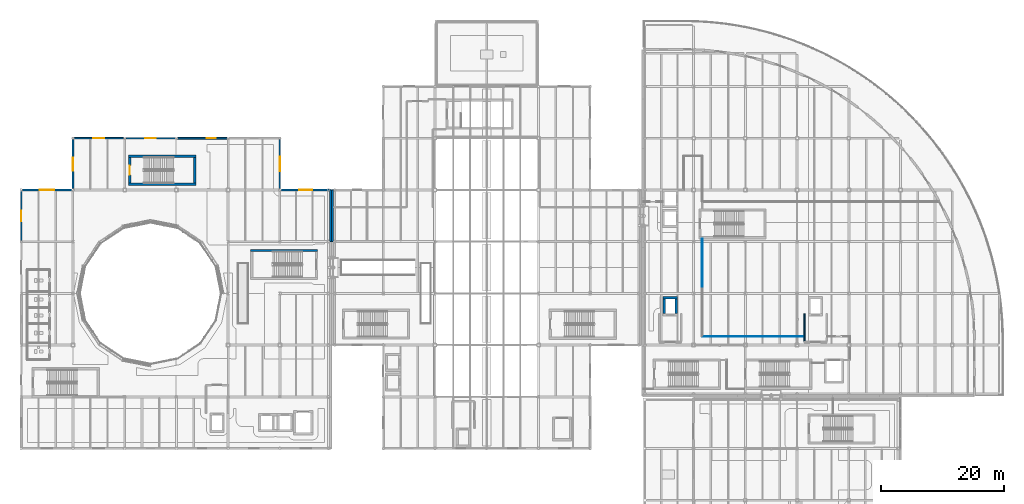
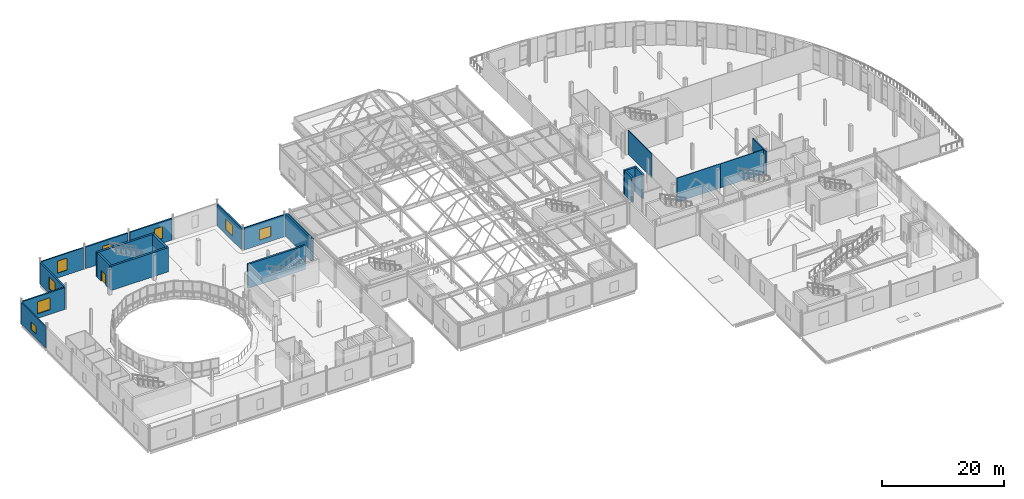
# One storey, part 66 of 103: 22 walls, 8 windows, 1 door, 9 openings.
"""IFC4 building model written with IfcOpenShell, lengths in metres."""

from ifc_helpers import new_model, si_unit, direction, frame, frame_2d, origin, place, context, subcontext, project, spatial, rectangle, extrude, material, layer, layer_set, type_object, element, fill, save


model = new_model("IFC4")

# Units and contexts
model_context = context("Model", 3, precision=1e-05, world=origin(), true_north=direction((0.0, 1.0)))
body_context = subcontext(model_context, "Body", "Model", "MODEL_VIEW")
ifc_project = project(units=[si_unit("LENGTHUNIT", "METRE"), si_unit("AREAUNIT", "SQUARE_METRE"), si_unit("VOLUMEUNIT", "CUBIC_METRE"), si_unit("PLANEANGLEUNIT", "RADIAN"), si_unit("MASSUNIT", "GRAM", prefix="KILO"), si_unit("THERMODYNAMICTEMPERATUREUNIT", "KELVIN")], contexts=[model_context])

# Site, building, storey
site_placement = place(None, origin())
site = spatial("IfcSite", under=ifc_project, at=site_placement, CompositionType="ELEMENT")
building_placement = place(site_placement, origin())
building = spatial("IfcBuilding", under=site, at=building_placement, Name="Lustrewick Department Store", CompositionType="ELEMENT")
storey_placement = place(building_placement, frame((0.0, 0.0, 16.5)))
storey = spatial("IfcBuildingStorey", under=building, at=storey_placement, Name="L04", CompositionType="ELEMENT", Elevation=16.5)

# Wall, opening, window
ifc_material_1 = material(Name="Precast concrete C40", Category="concrete")
ifc_layer_1 = layer(ifc_material_1, 0.239990234375, Name="Precast concrete C40")
ifc_layer_set_1 = layer_set([ifc_layer_1], Name="Precast concrete C40")
wall_type_1 = type_object("IfcWallType", Name="EW01", PredefinedType="STANDARD", material=ifc_layer_set_1)
wall_1_placement = place(storey_placement, frame((25.0166015625, 92.39990234375, 0.0), z_axis=(0.0, 0.0, 1.0), x_axis=(-1.0, 0.0, 0.0)))
wall_1 = element("IfcWall", 1, at=wall_1_placement, inside=storey, type_object=wall_type_1, Name="L04 V1 Exterior Wall EW01", PredefinedType="STANDARD", context=body_context, shape_type="SweptSolid", body=[
    extrude(rectangle(XDim=8.033203125, YDim=0.239990234375, at=frame_2d((4.0166015625, 0.0))), origin(), (0.0, 0.0, 1.0), 4.3310546875),
])
opening_1_placement = place(wall_1_placement, frame((3.116455078125, 0.0, 0.949951171875)))
opening_1 = element("IfcOpeningElement", 2, at=opening_1_placement, cuts=wall_1, Name="Opening WN16", PredefinedType="OPENING", context=body_context, shape_type="SweptSolid", body=[
    extrude(rectangle(XDim=1.800048828125, YDim=2.39990234375, at=frame_2d((0.89990234375, 1.199951171875))), frame((0.0, 0.1298828125, 0.0), z_axis=(0.0, -1.0, 0.0), x_axis=(1.0, 0.0, 0.0)), (0.0, 0.0, 1.0), 0.260009765625),
])
ifc_material_2 = material(Name="Thermally broken Low-E triple-glazed window", Category="glass")
window_type_1 = type_object("IfcWindowType", Name="WN16", PartitioningType="DOUBLE_PANEL_VERTICAL", PredefinedType="WINDOW", material=ifc_material_2)
window_1_placement = place(opening_1_placement, origin())
window_1 = element("IfcWindow", 3, at=window_1_placement, inside=storey, type_object=window_type_1, Name="L04 Art Nouveau Window WN16", OverallHeight=2.39990234375, OverallWidth=1.800048828125, PartitioningType="SINGLE_PANEL", PredefinedType="WINDOW", context=body_context, shape_type="SweptSolid", body=[
    extrude(rectangle(XDim=1.800048828125, YDim=2.39990234375, at=frame_2d((0.89990234375, 1.199951171875))), frame((0.0, 0.030029296875, 0.0), z_axis=(0.0, -1.0, 0.0), x_axis=(1.0, 0.0, 0.0)), (0.0, 0.0, 1.0), 0.06005859375),
])
fill(opening_1, window_1)

wall_2_placement = place(storey_placement, frame((8.39990234375, 83.802001953125, 0.0), z_axis=(0.0, 0.0, 1.0), x_axis=(0.0, -1.0, 0.0)))
wall_2 = element("IfcWall", 4, at=wall_2_placement, inside=storey, type_object=wall_type_1, Name="L04 V1 Exterior Wall EW01", PredefinedType="STANDARD", context=body_context, shape_type="SweptSolid", body=[
    extrude(rectangle(XDim=8.0185546875, YDim=0.239990234375, at=frame_2d((4.00927734375, 0.0))), origin(), (0.0, 0.0, 1.0), 4.3310546875),
])
opening_2_placement = place(wall_2_placement, frame((3.169189453125, 0.0, 0.949951171875)))
opening_2 = element("IfcOpeningElement", 5, at=opening_2_placement, cuts=wall_2, Name="Opening WN19", PredefinedType="OPENING", context=body_context, shape_type="SweptSolid", body=[
    extrude(rectangle(XDim=1.679931640625, YDim=1.5, at=frame_2d((0.83984375, 0.75))), frame((0.0, 0.1298828125, 0.0), z_axis=(0.0, -1.0, 0.0), x_axis=(1.0, 0.0, 0.0)), (0.0, 0.0, 1.0), 0.260009765625),
])
window_type_2 = type_object("IfcWindowType", Name="WN19", PartitioningType="DOUBLE_PANEL_VERTICAL", PredefinedType="WINDOW", material=ifc_material_2)
window_2_placement = place(opening_2_placement, origin())
window_2 = element("IfcWindow", 6, at=window_2_placement, inside=storey, type_object=window_type_2, Name="L04 Art Nouveau Window WN19", OverallHeight=1.5, OverallWidth=1.679931640625, PartitioningType="SINGLE_PANEL", PredefinedType="WINDOW", context=body_context, shape_type="SweptSolid", body=[
    extrude(rectangle(XDim=1.679931640625, YDim=1.5, at=frame_2d((0.83984375, 0.75))), frame((0.0, 0.030029296875, 0.0), z_axis=(0.0, -1.0, 0.0), x_axis=(1.0, 0.0, 0.0)), (0.0, 0.0, 1.0), 0.06005859375),
])
fill(opening_2, window_2)

ifc_layer_2 = layer(ifc_material_1, 0.260009765625, Name="Precast concrete C40")
ifc_layer_set_2 = layer_set([ifc_layer_2], Name="Precast concrete C40")
wall_type_2 = type_object("IfcWallType", Name="EW02", PredefinedType="STANDARD", material=ifc_layer_set_2)
wall_3_placement = place(storey_placement, frame((58.64990234375, 84.0, 0.0), z_axis=(0.0, 0.0, 1.0), x_axis=(-1.0, 0.0, 0.0)))
wall_3 = element("IfcWall", 7, at=wall_3_placement, inside=storey, type_object=wall_type_2, Name="L04 V1 Exterior Wall EW02", PredefinedType="STANDARD", context=body_context, shape_type="SweptSolid", body=[
    extrude(rectangle(XDim=8.052001953125, YDim=0.260009765625, at=frame_2d((4.02587890625, 0.0))), origin(), (0.0, 0.0, 1.0), 4.39697265625),
])
opening_3_placement = place(wall_3_placement, frame((2.97607421875, 0.0, 0.949951171875)))
opening_3 = element("IfcOpeningElement", 8, at=opening_3_placement, cuts=wall_3, Name="Opening WN11", PredefinedType="OPENING", context=body_context, shape_type="SweptSolid", body=[
    extrude(rectangle(XDim=2.10009765625, YDim=2.10009765625, at=frame_2d((1.050048828125, 1.050048828125))), frame((0.0, 0.14013671875, 0.0), z_axis=(0.0, -1.0, 0.0), x_axis=(1.0, 0.0, 0.0)), (0.0, 0.0, 1.0), 0.280029296875),
])
window_type_3 = type_object("IfcWindowType", Name="WN11", PartitioningType="DOUBLE_PANEL_VERTICAL", PredefinedType="WINDOW", material=ifc_material_2)
window_3_placement = place(opening_3_placement, origin())
window_3 = element("IfcWindow", 9, at=window_3_placement, inside=storey, type_object=window_type_3, Name="L04 Art Nouveau Window WN11", OverallHeight=2.10009765625, OverallWidth=2.10009765625, PartitioningType="SINGLE_PANEL", PredefinedType="WINDOW", context=body_context, shape_type="SweptSolid", body=[
    extrude(rectangle(XDim=2.10009765625, YDim=2.10009765625, at=frame_2d((1.050048828125, 1.050048828125))), frame((0.0, 0.030029296875, 0.0), z_axis=(0.0, -1.0, 0.0), x_axis=(1.0, 0.0, 0.0)), (0.0, 0.0, 1.0), 0.06005859375),
])
fill(opening_3, window_3)

wall_4_placement = place(storey_placement, frame((41.81640625, 92.39990234375, 0.0), z_axis=(0.0, 0.0, 1.0), x_axis=(-1.0, 0.0, 0.0)))
wall_4 = element("IfcWall", 10, at=wall_4_placement, inside=storey, type_object=wall_type_2, Name="L04 V1 Exterior Wall EW02", PredefinedType="STANDARD", context=body_context, shape_type="SweptSolid", body=[
    extrude(rectangle(XDim=8.032958984375, YDim=0.260009765625, at=frame_2d((4.0166015625, 0.0))), origin(), (0.0, 0.0, 1.0), 4.3310546875),
])
opening_4_placement = place(wall_4_placement, frame((1.820556640625, 0.0, 0.949951171875)))
opening_4 = element("IfcOpeningElement", 11, at=opening_4_placement, cuts=wall_4, Name="Opening WN14", PredefinedType="OPENING", context=body_context, shape_type="SweptSolid", body=[
    extrude(rectangle(XDim=1.5, YDim=2.39990234375, at=frame_2d((0.75, 1.199951171875))), frame((0.0, 0.14013671875, 0.0), z_axis=(0.0, -1.0, 0.0), x_axis=(1.0, 0.0, 0.0)), (0.0, 0.0, 1.0), 0.280029296875),
])
window_type_4 = type_object("IfcWindowType", Name="WN14", PartitioningType="DOUBLE_PANEL_VERTICAL", PredefinedType="WINDOW", material=ifc_material_2)
window_4_placement = place(opening_4_placement, origin())
window_4 = element("IfcWindow", 12, at=window_4_placement, inside=storey, type_object=window_type_4, Name="L04 Art Nouveau Window WN14", OverallHeight=2.39990234375, OverallWidth=1.5, PartitioningType="SINGLE_PANEL", PredefinedType="WINDOW", context=body_context, shape_type="SweptSolid", body=[
    extrude(rectangle(XDim=1.5, YDim=2.39990234375, at=frame_2d((0.75, 1.199951171875))), frame((0.0, 0.030029296875, 0.0), z_axis=(0.0, -1.0, 0.0), x_axis=(1.0, 0.0, 0.0)), (0.0, 0.0, 1.0), 0.06005859375),
])
fill(opening_4, window_4)

wall_5_placement = place(storey_placement, frame((16.800048828125, 92.216552734375, 0.0), z_axis=(0.0, 0.0, 1.0), x_axis=(0.0, -1.0, 0.0)))
wall_5 = element("IfcWall", 13, at=wall_5_placement, inside=storey, type_object=wall_type_2, Name="L04 V1 Exterior Wall EW02", PredefinedType="STANDARD", context=body_context, shape_type="SweptSolid", body=[
    extrude(rectangle(XDim=8.0185546875, YDim=0.260009765625, at=frame_2d((4.00927734375, 0.0))), origin(), (0.0, 0.0, 1.0), 4.3310546875),
])
opening_5_placement = place(wall_5_placement, frame((2.959228515625, 0.0, 0.949951171875)))
opening_5 = element("IfcOpeningElement", 14, at=opening_5_placement, cuts=wall_5, Name="Opening WN17", PredefinedType="OPENING", context=body_context, shape_type="SweptSolid", body=[
    extrude(rectangle(XDim=2.10009765625, YDim=2.39990234375, at=frame_2d((1.050048828125, 1.199951171875))), frame((0.0, 0.14013671875, 0.0), z_axis=(0.0, -1.0, 0.0), x_axis=(1.0, 0.0, 0.0)), (0.0, 0.0, 1.0), 0.280029296875),
])
window_type_5 = type_object("IfcWindowType", Name="WN17", PartitioningType="DOUBLE_PANEL_VERTICAL", PredefinedType="WINDOW", material=ifc_material_2)
window_5_placement = place(opening_5_placement, origin())
window_5 = element("IfcWindow", 15, at=window_5_placement, inside=storey, type_object=window_type_5, Name="L04 Art Nouveau Window WN17", OverallHeight=2.39990234375, OverallWidth=2.10009765625, PartitioningType="SINGLE_PANEL", PredefinedType="WINDOW", context=body_context, shape_type="SweptSolid", body=[
    extrude(rectangle(XDim=2.10009765625, YDim=2.39990234375, at=frame_2d((1.050048828125, 1.199951171875))), frame((0.0, 0.030029296875, 0.0), z_axis=(0.0, -1.0, 0.0), x_axis=(1.0, 0.0, 0.0)), (0.0, 0.0, 1.0), 0.06005859375),
])
fill(opening_5, window_5)

ifc_layer_3 = layer(ifc_material_1, 0.280029296875, Name="Precast concrete C40")
ifc_layer_set_3 = layer_set([ifc_layer_3], Name="Precast concrete C40")
wall_type_3 = type_object("IfcWallType", Name="EW03", PredefinedType="STANDARD", material=ifc_layer_set_3)
wall_6_placement = place(storey_placement, frame((50.39990234375, 84.197998046875, 0.0), z_axis=(0.0, 0.0, 1.0), x_axis=(0.0, 1.0, 0.0)))
wall_6 = element("IfcWall", 16, at=wall_6_placement, inside=storey, type_object=wall_type_3, Name="L04 V1 Exterior Wall EW03", PredefinedType="STANDARD", context=body_context, shape_type="SweptSolid", body=[
    extrude(rectangle(XDim=8.0185546875, YDim=0.280029296875, at=frame_2d((4.00927734375, 0.0))), origin(), (0.0, 0.0, 1.0), 4.3310546875),
])
opening_6_placement = place(wall_6_placement, frame((2.809326171875, 0.0, 0.949951171875)))
opening_6 = element("IfcOpeningElement", 17, at=opening_6_placement, cuts=wall_6, Name="Opening WN12", PredefinedType="OPENING", context=body_context, shape_type="SweptSolid", body=[
    extrude(rectangle(XDim=2.39990234375, YDim=2.10009765625, at=frame_2d((1.199951171875, 1.050048828125))), frame((0.0, 0.14990234375, 0.0), z_axis=(0.0, -1.0, 0.0), x_axis=(1.0, 0.0, 0.0)), (0.0, 0.0, 1.0), 0.300048828125),
])
window_type_6 = type_object("IfcWindowType", Name="WN12", PartitioningType="DOUBLE_PANEL_VERTICAL", PredefinedType="WINDOW", material=ifc_material_2)
window_6_placement = place(opening_6_placement, origin())
window_6 = element("IfcWindow", 18, at=window_6_placement, inside=storey, type_object=window_type_6, Name="L04 Art Nouveau Window WN12", OverallHeight=2.10009765625, OverallWidth=2.39990234375, PartitioningType="SINGLE_PANEL", PredefinedType="WINDOW", context=body_context, shape_type="SweptSolid", body=[
    extrude(rectangle(XDim=2.39990234375, YDim=2.10009765625, at=frame_2d((1.199951171875, 1.050048828125))), frame((0.0, 0.030029296875, 0.0), z_axis=(0.0, -1.0, 0.0), x_axis=(1.0, 0.0, 0.0)), (0.0, 0.0, 1.0), 0.06005859375),
])
fill(opening_6, window_6)

wall_7_placement = place(storey_placement, frame((33.41650390625, 92.39990234375, 0.0), z_axis=(0.0, 0.0, 1.0), x_axis=(-1.0, 0.0, 0.0)))
wall_7 = element("IfcWall", 19, at=wall_7_placement, inside=storey, type_object=wall_type_3, Name="L04 V1 Exterior Wall EW03", PredefinedType="STANDARD", context=body_context, shape_type="SweptSolid", body=[
    extrude(rectangle(XDim=8.032958984375, YDim=0.280029296875, at=frame_2d((4.0166015625, 0.0))), origin(), (0.0, 0.0, 1.0), 4.3310546875),
])
opening_7_placement = place(wall_7_placement, frame((3.176513671875, 0.0, 0.949951171875)))
opening_7 = element("IfcOpeningElement", 20, at=opening_7_placement, cuts=wall_7, Name="Opening WN15", PredefinedType="OPENING", context=body_context, shape_type="SweptSolid", body=[
    extrude(rectangle(XDim=1.679931640625, YDim=2.39990234375, at=frame_2d((0.83984375, 1.199951171875))), frame((0.0, 0.14990234375, 0.0), z_axis=(0.0, -1.0, 0.0), x_axis=(1.0, 0.0, 0.0)), (0.0, 0.0, 1.0), 0.300048828125),
])
window_type_7 = type_object("IfcWindowType", Name="WN15", PartitioningType="DOUBLE_PANEL_VERTICAL", PredefinedType="WINDOW", material=ifc_material_2)
window_7_placement = place(opening_7_placement, origin())
window_7 = element("IfcWindow", 21, at=window_7_placement, inside=storey, type_object=window_type_7, Name="L04 Art Nouveau Window WN15", OverallHeight=2.39990234375, OverallWidth=1.679931640625, PartitioningType="SINGLE_PANEL", PredefinedType="WINDOW", context=body_context, shape_type="SweptSolid", body=[
    extrude(rectangle(XDim=1.679931640625, YDim=2.39990234375, at=frame_2d((0.83984375, 1.199951171875))), frame((0.0, 0.030029296875, 0.0), z_axis=(0.0, -1.0, 0.0), x_axis=(1.0, 0.0, 0.0)), (0.0, 0.0, 1.0), 0.06005859375),
])
fill(opening_7, window_7)

wall_8_placement = place(storey_placement, frame((16.60205078125, 84.0, 0.0), z_axis=(0.0, 0.0, 1.0), x_axis=(-1.0, 0.0, 0.0)))
wall_8 = element("IfcWall", 22, at=wall_8_placement, inside=storey, type_object=wall_type_3, Name="L04 V1 Exterior Wall EW03", PredefinedType="STANDARD", context=body_context, shape_type="SweptSolid", body=[
    extrude(rectangle(XDim=8.004150390625, YDim=0.280029296875, at=frame_2d((4.001953125, 0.0))), origin(), (0.0, 0.0, 1.0), 4.39697265625),
])
opening_8_placement = place(wall_8_placement, frame((2.802001953125, 0.0, 0.949951171875)))
opening_8 = element("IfcOpeningElement", 23, at=opening_8_placement, cuts=wall_8, Name="Opening WN18", PredefinedType="OPENING", context=body_context, shape_type="SweptSolid", body=[
    extrude(rectangle(XDim=2.39990234375, YDim=2.39990234375, at=frame_2d((1.199951171875, 1.199951171875))), frame((0.0, 0.14990234375, 0.0), z_axis=(0.0, -1.0, 0.0), x_axis=(1.0, 0.0, 0.0)), (0.0, 0.0, 1.0), 0.300048828125),
])
window_type_8 = type_object("IfcWindowType", Name="WN18", PartitioningType="DOUBLE_PANEL_VERTICAL", PredefinedType="WINDOW", material=ifc_material_2)
window_8_placement = place(opening_8_placement, origin())
window_8 = element("IfcWindow", 24, at=window_8_placement, inside=storey, type_object=window_type_8, Name="L04 Art Nouveau Window WN18", OverallHeight=2.39990234375, OverallWidth=2.39990234375, PartitioningType="SINGLE_PANEL", PredefinedType="WINDOW", context=body_context, shape_type="SweptSolid", body=[
    extrude(rectangle(XDim=2.39990234375, YDim=2.39990234375, at=frame_2d((1.199951171875, 1.199951171875))), frame((0.0, 0.030029296875, 0.0), z_axis=(0.0, -1.0, 0.0), x_axis=(1.0, 0.0, 0.0)), (0.0, 0.0, 1.0), 0.06005859375),
])
fill(opening_8, window_8)

# Walls
ifc_layer_4 = layer(ifc_material_1, 0.300048828125, Name="Precast concrete C40")
ifc_layer_set_4 = layer_set([ifc_layer_4], Name="Precast concrete C40")
wall_type_4 = type_object("IfcWallType", Name="EW04", PredefinedType="STANDARD", material=ifc_layer_set_4)
wall_9_placement = place(storey_placement, frame((58.64990234375, 75.60009765625, 0.0), z_axis=(0.0, 0.0, 1.0), x_axis=(0.0, 1.0, 0.0)))
element("IfcWall", 25, at=wall_9_placement, inside=storey, type_object=wall_type_4, Name="L04 V1 Exterior Wall EW04", PredefinedType="STANDARD", context=body_context, shape_type="SweptSolid", body=[
    extrude(rectangle(XDim=8.39990234375, YDim=0.300048828125, at=frame_2d((4.199951171875, 0.0))), origin(), (0.0, 0.0, 1.0), 4.487060546875),
])
wall_10_placement = place(storey_placement, frame((58.949951171875, 84.0, 0.0), z_axis=(0.0, 0.0, 1.0), x_axis=(0.0, -1.0, 0.0)))
element("IfcWall", 26, at=wall_10_placement, inside=storey, type_object=wall_type_4, Name="L04 V2 Exterior Wall EW04", PredefinedType="STANDARD", context=body_context, shape_type="SweptSolid", body=[
    extrude(rectangle(XDim=8.39990234375, YDim=0.300048828125, at=frame_2d((4.199951171875, 0.0))), origin(), (0.0, 0.0, 1.0), 4.3310546875),
])
ifc_material_3 = material(Name="Autoclaved aerated concrete blockwork and fire board", Category="masonry")
ifc_layer_5 = layer(ifc_material_3, 0.205078125, Name="Autoclaved aerated concrete blockwork and fire board")
ifc_layer_set_5 = layer_set([ifc_layer_5], Name="Autoclaved aerated concrete blockwork and fire board")
wall_type_5 = type_object("IfcWallType", Name="PW02", PredefinedType="PARTITIONING", material=ifc_layer_set_5)
wall_11_placement = place(storey_placement, frame((135.60009765625, 63.89990234375, 0.0), z_axis=(0.0, 0.0, 1.0), x_axis=(0.0, -1.0, 0.0)))
element("IfcWall", 27, at=wall_11_placement, inside=storey, type_object=wall_type_5, Name="L04 Firefighting Lift Lobby FFL-03 PW02", PredefinedType="PARTITIONING", context=body_context, shape_type="SweptSolid", body=[
    extrude(rectangle(XDim=4.50244140625, YDim=0.205078125, at=frame_2d((2.251220703125, 0.0))), origin(), (0.0, 0.0, 1.0), 4.844970703125),
])
ifc_material_4 = material(Name="Acoustic gypsum stud office partition", Category="gypsum")
ifc_layer_6 = layer(ifc_material_4, 0.1201171875, Name="Acoustic gypsum stud office partition")
ifc_layer_set_6 = layer_set([ifc_layer_6], Name="Acoustic gypsum stud office partition")
wall_type_6 = type_object("IfcWallType", Name="PW07", PredefinedType="PARTITIONING", material=ifc_layer_set_6)
wall_12_placement = place(storey_placement, frame((119.010009765625, 60.2099609375, 0.0), z_axis=(0.0, 0.0, 1.0), x_axis=(1.0, 0.0, 0.0)))
element("IfcWall", 28, at=wall_12_placement, inside=storey, type_object=wall_type_6, Name="L04 Store Buying Office PW07", PredefinedType="PARTITIONING", context=body_context, shape_type="SweptSolid", body=[
    extrude(rectangle(XDim=8.2900390625, YDim=0.1201171875, at=frame_2d((4.14501953125, 0.0))), origin(), (0.0, 0.0, 1.0), 4.844970703125),
])
wall_13_placement = place(storey_placement, frame((127.300048828125, 60.2099609375, 0.0), z_axis=(0.0, 0.0, 1.0), x_axis=(1.0, 0.0, 0.0)))
element("IfcWall", 29, at=wall_13_placement, inside=storey, type_object=wall_type_6, Name="L04 Store Buying Office PW07", PredefinedType="PARTITIONING", context=body_context, shape_type="SweptSolid", body=[
    extrude(rectangle(XDim=8.202392578125, YDim=0.1201171875, at=frame_2d((4.10107421875, 0.0))), origin(), (0.0, 0.0, 1.0), 4.844970703125),
])
wall_14_placement = place(storey_placement, frame((119.010009765625, 76.06494140625, 0.0), z_axis=(0.0, 0.0, 1.0), x_axis=(0.0, -1.0, 0.0)))
element("IfcWall", 30, at=wall_14_placement, inside=storey, type_object=wall_type_6, Name="L04 Store Buying Office PW07", PredefinedType="PARTITIONING", context=body_context, shape_type="SweptSolid", body=[
    extrude(rectangle(XDim=7.764892578125, YDim=0.1201171875, at=frame_2d((3.88232421875, 0.0))), origin(), (0.0, 0.0, 1.0), 4.844970703125),
])
ifc_material_5 = material(Name="Concrete C40", Category="concrete")
ifc_layer_7 = layer(ifc_material_5, 0.3798828125, Name="Concrete C40")
ifc_layer_set_7 = layer_set([ifc_layer_7], Name="Concrete C40")
wall_type_7 = type_object("IfcWallType", Name="SW03", PredefinedType="SHEAR", material=ifc_layer_set_7)
wall_15_placement = place(storey_placement, frame((25.820068359375, 84.909912109375, 0.0), z_axis=(0.0, 0.0, 1.0), x_axis=(1.0, 0.0, 0.0)))
element("IfcWall", 31, at=wall_15_placement, inside=storey, type_object=wall_type_7, Name="L04 Stair Core ST03 Shear Wall S", PredefinedType="SHEAR", context=body_context, shape_type="SweptSolid", body=[
    extrude(rectangle(XDim=10.9599609375, YDim=0.3798828125, at=frame_2d((5.47998046875, 0.0))), origin(), (0.0, 0.0, 1.0), 4.844970703125),
])
wall_16_placement = place(storey_placement, frame((36.590087890625, 85.10009765625, 0.0), z_axis=(0.0, 0.0, 1.0), x_axis=(0.0, 1.0, 0.0)))
element("IfcWall", 32, at=wall_16_placement, inside=storey, type_object=wall_type_7, Name="L04 Stair Core ST03 Shear Wall E", PredefinedType="SHEAR", context=body_context, shape_type="SweptSolid", body=[
    extrude(rectangle(XDim=4.199951171875, YDim=0.3798828125, at=frame_2d((2.10009765625, 0.0))), origin(), (0.0, 0.0, 1.0), 4.844970703125),
])
wall_17_placement = place(storey_placement, frame((36.780029296875, 89.489990234375, 0.0), z_axis=(0.0, 0.0, 1.0), x_axis=(-1.0, 0.0, 0.0)))
element("IfcWall", 33, at=wall_17_placement, inside=storey, type_object=wall_type_7, Name="L04 Stair Core ST03 Shear Wall N", PredefinedType="SHEAR", context=body_context, shape_type="SweptSolid", body=[
    extrude(rectangle(XDim=10.9599609375, YDim=0.3798828125, at=frame_2d((5.47998046875, 0.0))), origin(), (0.0, 0.0, 1.0), 4.844970703125),
])

# Wall, opening, door
wall_18_placement = place(storey_placement, frame((26.010009765625, 89.300048828125, 0.0), z_axis=(0.0, 0.0, 1.0), x_axis=(0.0, -1.0, 0.0)))
wall_18 = element("IfcWall", 34, at=wall_18_placement, inside=storey, type_object=wall_type_7, Name="L04 Stair Core ST03 Shear Wall W", PredefinedType="SHEAR", context=body_context, shape_type="SweptSolid", body=[
    extrude(rectangle(XDim=4.199951171875, YDim=0.3798828125, at=frame_2d((2.10009765625, 0.0))), origin(), (0.0, 0.0, 1.0), 4.844970703125),
])
opening_9_placement = place(wall_18_placement, frame((1.35009765625, 0.0, 0.0)))
opening_9 = element("IfcOpeningElement", 35, at=opening_9_placement, cuts=wall_18, Name="Opening D-L04-003", PredefinedType="OPENING", context=body_context, shape_type="SweptSolid", body=[
    extrude(rectangle(XDim=1.5, YDim=2.14990234375, at=frame_2d((0.75, 1.074951171875))), frame((0.0, 0.199951171875, 0.0), z_axis=(0.0, -1.0, 0.0), x_axis=(1.0, 0.0, 0.0)), (0.0, 0.0, 1.0), 0.39990234375),
])
ifc_material_6 = material(Name="Steel fire door Class B EI 60", Category="steel")
door_type = type_object("IfcDoorType", Name="DT-07", OperationType="NOTDEFINED", PredefinedType="DOOR", material=ifc_material_6)
door_placement = place(opening_9_placement, origin())
door = element("IfcDoor", 36, at=door_placement, inside=storey, type_object=door_type, Name="L04 Smoke-Proof Stair ST03 Fire Door", OperationType="SINGLE_SWING_RIGHT", OverallHeight=2.14990234375, OverallWidth=1.5, PredefinedType="DOOR", context=body_context, shape_type="SweptSolid", body=[
    extrude(rectangle(XDim=1.5, YDim=2.14990234375, at=frame_2d((0.75, 1.074951171875))), frame((0.0, 0.02490234375, 0.0), z_axis=(0.0, -1.0, 0.0), x_axis=(1.0, 0.0, 0.0)), (0.0, 0.0, 1.0), 0.050048828125),
])
fill(opening_9, door)

# Walls
ifc_layer_8 = layer(ifc_material_5, 0.360107421875, Name="Concrete C40")
ifc_layer_set_8 = layer_set([ifc_layer_8], Name="Concrete C40")
wall_type_8 = type_object("IfcWallType", Name="SW04", PredefinedType="SHEAR", material=ifc_layer_set_8)
wall_19_placement = place(storey_placement, frame((114.780029296875, 63.89990234375, 0.0), z_axis=(0.0, 0.0, 1.0), x_axis=(0.0, 1.0, 0.0)))
element("IfcWall", 37, at=wall_19_placement, inside=storey, type_object=wall_type_8, Name="L04 Lift FFL-04 Shaft Wall +X", PredefinedType="SHEAR", context=body_context, shape_type="SweptSolid", body=[
    extrude(rectangle(XDim=2.400146484375, YDim=0.360107421875, at=frame_2d((1.2001953125, 0.0))), origin(), (0.0, 0.0, 1.0), 4.844970703125),
])
wall_20_placement = place(storey_placement, frame((114.9599609375, 66.47998046875, 0.0), z_axis=(0.0, 0.0, 1.0), x_axis=(-1.0, 0.0, 0.0)))
element("IfcWall", 38, at=wall_20_placement, inside=storey, type_object=wall_type_8, Name="L04 Lift FFL-04 Shaft Wall +Y", PredefinedType="SHEAR", context=body_context, shape_type="SweptSolid", body=[
    extrude(rectangle(XDim=2.320068359375, YDim=0.360107421875, at=frame_2d((1.16015625, 0.0))), origin(), (0.0, 0.0, 1.0), 4.844970703125),
])
wall_21_placement = place(storey_placement, frame((112.820068359375, 66.300048828125, 0.0), z_axis=(0.0, 0.0, 1.0), x_axis=(0.0, -1.0, 0.0)))
element("IfcWall", 39, at=wall_21_placement, inside=storey, type_object=wall_type_8, Name="L04 Lift FFL-04 Shaft Wall -X", PredefinedType="SHEAR", context=body_context, shape_type="SweptSolid", body=[
    extrude(rectangle(XDim=2.400146484375, YDim=0.360107421875, at=frame_2d((1.2001953125, 0.0))), origin(), (0.0, 0.0, 1.0), 4.844970703125),
])
ifc_layer_9 = layer(ifc_material_5, 0.340087890625, Name="Concrete C40")
ifc_layer_set_9 = layer_set([ifc_layer_9], Name="Concrete C40")
wall_type_9 = type_object("IfcWallType", Name="SW05", PredefinedType="SHEAR", material=ifc_layer_set_9)
wall_22_placement = place(storey_placement, frame((56.5400390625, 74.169921875, 0.0), z_axis=(0.0, 0.0, 1.0), x_axis=(-1.0, 0.0, 0.0)))
element("IfcWall", 40, at=wall_22_placement, inside=storey, type_object=wall_type_9, Name="L04 Stair Core ST02 Shear Wall N", PredefinedType="SHEAR", context=body_context, shape_type="SweptSolid", body=[
    extrude(rectangle(XDim=10.880126953125, YDim=0.340087890625, at=frame_2d((5.43994140625, 0.0))), origin(), (0.0, 0.0, 1.0), 4.844970703125),
])

save(model, "model.ifc")
